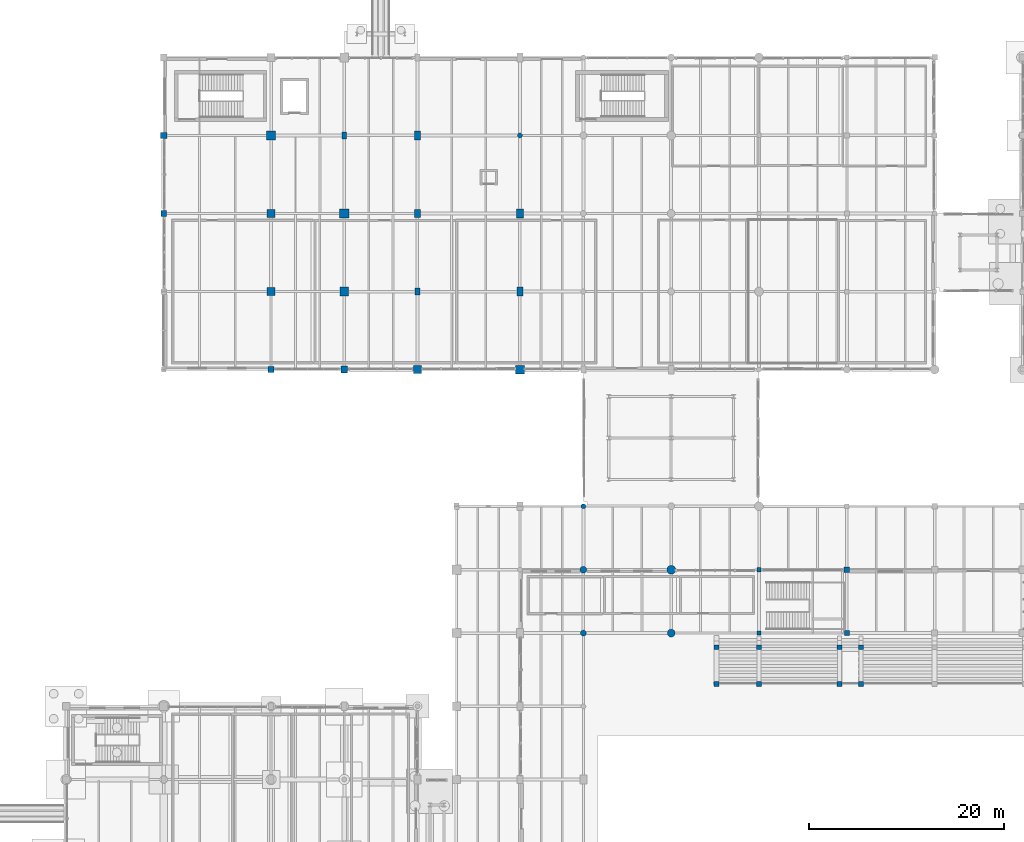
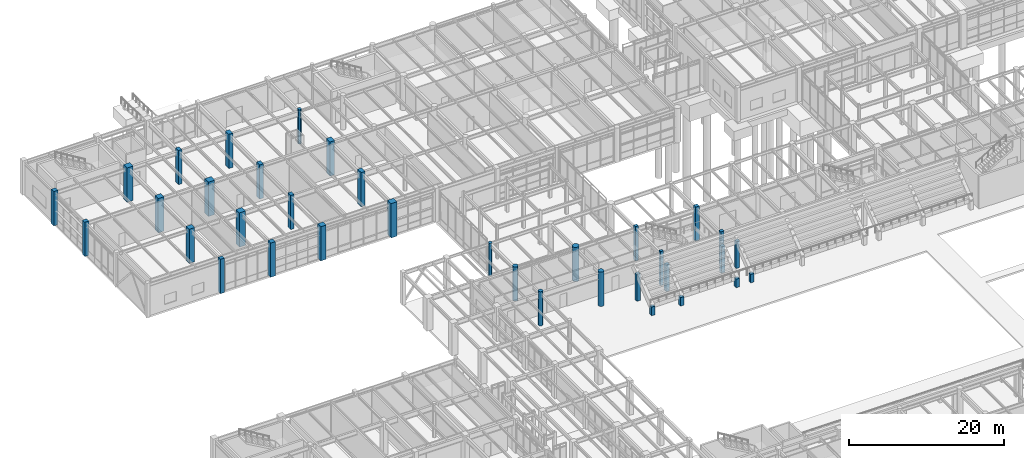
# One storey, part 12 of 203: 35 columns.
"""IFC4 building model written with IfcOpenShell, lengths in metres."""

from ifc_helpers import new_model, si_unit, direction, frame, origin, origin_2d, place, context, subcontext, project, spatial, rectangle, circle, extrude, material, material_profile, profile_set, type_object, element, save


model = new_model("IFC4")

# Units and contexts
model_context = context("Model", 3, precision=1e-05, world=origin(), true_north=direction((0.0, 1.0)))
body_context = subcontext(model_context, "Body", "Model", "MODEL_VIEW")
ifc_project = project(units=[si_unit("LENGTHUNIT", "METRE"), si_unit("AREAUNIT", "SQUARE_METRE"), si_unit("VOLUMEUNIT", "CUBIC_METRE"), si_unit("PLANEANGLEUNIT", "RADIAN"), si_unit("MASSUNIT", "GRAM", prefix="KILO"), si_unit("THERMODYNAMICTEMPERATUREUNIT", "KELVIN"), si_unit("POWERUNIT", "WATT")], contexts=[model_context])

# Site, building, storey
site_placement = place(None, origin())
site = spatial("IfcSite", under=ifc_project, at=site_placement, CompositionType="ELEMENT")
building_placement = place(site_placement, origin())
building = spatial("IfcBuilding", under=site, at=building_placement, Name="Tepalcoro Natatorium and Aquatics Centre", CompositionType="ELEMENT")
storey_placement = place(building_placement, origin())
storey = spatial("IfcBuildingStorey", under=building, at=storey_placement, Name="L00", CompositionType="ELEMENT", Elevation=0.0)

# Columns
ifc_material = material(Name="Concrete C40/50 (fc 40 MPa)", Category="concrete")
ifc_material_profile_1 = material_profile(ifc_material, rectangle(XDim=0.39990234375, YDim=0.39990234375, at=origin_2d()), Name="RC400x400")
ifc_profile_set_1 = profile_set([ifc_material_profile_1], Name="Concrete C40/50 (fc 40 MPa)")
column_type_1 = type_object("IfcColumnType", Name="COL_RC_400x400", PredefinedType="COLUMN", material=ifc_profile_set_1)
column_1_placement = place(storey_placement, frame((71.0, 59.0, 0.0), z_axis=(0.0, 0.0, 1.0), x_axis=(1.0, 0.0, 0.0)))
element("IfcColumn", 1, at=column_1_placement, inside=storey, type_object=column_type_1, Name="V1 L00 Grid Column (71.0, 59.0)", PredefinedType="COLUMN", context=body_context, shape_type="SweptSolid", body=[
    extrude(rectangle(XDim=0.39990234375, YDim=0.39990234375, at=origin_2d()), origin(), (0.0, 0.0, 1.0), 5.39990234375),
])
ifc_material_profile_2 = material_profile(ifc_material, rectangle(XDim=0.449951171875, YDim=0.449951171875, at=origin_2d()), Name="RC450x450")
ifc_profile_set_2 = profile_set([ifc_material_profile_2], Name="Concrete C40/50 (fc 40 MPa)")
column_type_2 = type_object("IfcColumnType", Name="COL_RC_450x450", PredefinedType="COLUMN", material=ifc_profile_set_2)
column_2_placement = place(storey_placement, frame((71.0, 65.5, 0.0), z_axis=(0.0, 0.0, 1.0), x_axis=(1.0, 0.0, 0.0)))
element("IfcColumn", 2, at=column_2_placement, inside=storey, type_object=column_type_2, Name="V1 L00 Grid Column (71.0, 65.5)", PredefinedType="COLUMN", context=body_context, shape_type="SweptSolid", body=[
    extrude(rectangle(XDim=0.449951171875, YDim=0.449951171875, at=origin_2d()), origin(), (0.0, 0.0, 1.0), 5.39990234375),
])
ifc_material_profile_3 = material_profile(ifc_material, rectangle(XDim=0.5, YDim=0.5, at=origin_2d()), Name="RC500x500")
ifc_profile_set_3 = profile_set([ifc_material_profile_3], Name="Concrete C40/50 (fc 40 MPa)")
column_type_3 = type_object("IfcColumnType", Name="COL_RC_500x500", PredefinedType="COLUMN", material=ifc_profile_set_3)
column_3_placement = place(storey_placement, frame((80.0, 59.0, 0.0), z_axis=(0.0, 0.0, 1.0), x_axis=(1.0, 0.0, 0.0)))
element("IfcColumn", 3, at=column_3_placement, inside=storey, type_object=column_type_3, Name="V1 L00 Grid Column (80.0, 59.0)", PredefinedType="COLUMN", context=body_context, shape_type="SweptSolid", body=[
    extrude(rectangle(XDim=0.5, YDim=0.5, at=origin_2d()), origin(), (0.0, 0.0, 1.0), 5.39990234375),
])
column_4_placement = place(storey_placement, frame((66.64990234375, 53.800048828125, 0.0), z_axis=(0.0, 0.0, 1.0), x_axis=(1.0, 0.0, 0.0)))
element("IfcColumn", 4, at=column_4_placement, inside=storey, type_object=column_type_3, Name="Spectator Bowl Plinth Column N-F", PredefinedType="COLUMN", context=body_context, shape_type="SweptSolid", body=[
    extrude(rectangle(XDim=0.5, YDim=0.5, at=origin_2d()), origin(), (0.0, 0.0, 1.0), 1.35009765625),
])
column_5_placement = place(storey_placement, frame((66.64990234375, 57.550048828125, 0.0), z_axis=(0.0, 0.0, 1.0), x_axis=(1.0, 0.0, 0.0)))
element("IfcColumn", 5, at=column_5_placement, inside=storey, type_object=column_type_3, Name="Spectator Bowl Plinth Column N-B", PredefinedType="COLUMN", context=body_context, shape_type="SweptSolid", body=[
    extrude(rectangle(XDim=0.5, YDim=0.5, at=origin_2d()), origin(), (0.0, 0.0, 1.0), 4.25),
])
column_6_placement = place(storey_placement, frame((71.0, 53.800048828125, 0.0), z_axis=(0.0, 0.0, 1.0), x_axis=(1.0, 0.0, 0.0)))
element("IfcColumn", 6, at=column_6_placement, inside=storey, type_object=column_type_3, Name="Spectator Bowl Plinth Column N-F", PredefinedType="COLUMN", context=body_context, shape_type="SweptSolid", body=[
    extrude(rectangle(XDim=0.5, YDim=0.5, at=origin_2d()), origin(), (0.0, 0.0, 1.0), 1.35009765625),
])
column_7_placement = place(storey_placement, frame((71.0, 57.550048828125, 0.0), z_axis=(0.0, 0.0, 1.0), x_axis=(1.0, 0.0, 0.0)))
element("IfcColumn", 7, at=column_7_placement, inside=storey, type_object=column_type_3, Name="Spectator Bowl Plinth Column N-B", PredefinedType="COLUMN", context=body_context, shape_type="SweptSolid", body=[
    extrude(rectangle(XDim=0.5, YDim=0.5, at=origin_2d()), origin(), (0.0, 0.0, 1.0), 4.25),
])
column_8_placement = place(storey_placement, frame((79.25, 53.800048828125, 0.0), z_axis=(0.0, 0.0, 1.0), x_axis=(1.0, 0.0, 0.0)))
element("IfcColumn", 8, at=column_8_placement, inside=storey, type_object=column_type_3, Name="Spectator Bowl Plinth Column N-F", PredefinedType="COLUMN", context=body_context, shape_type="SweptSolid", body=[
    extrude(rectangle(XDim=0.5, YDim=0.5, at=origin_2d()), origin(), (0.0, 0.0, 1.0), 1.35009765625),
])
column_9_placement = place(storey_placement, frame((79.25, 57.550048828125, 0.0), z_axis=(0.0, 0.0, 1.0), x_axis=(1.0, 0.0, 0.0)))
element("IfcColumn", 9, at=column_9_placement, inside=storey, type_object=column_type_3, Name="Spectator Bowl Plinth Column N-B", PredefinedType="COLUMN", context=body_context, shape_type="SweptSolid", body=[
    extrude(rectangle(XDim=0.5, YDim=0.5, at=origin_2d()), origin(), (0.0, 0.0, 1.0), 4.25),
])
column_10_placement = place(storey_placement, frame((81.449951171875, 53.800048828125, 0.0), z_axis=(0.0, 0.0, 1.0), x_axis=(1.0, 0.0, 0.0)))
element("IfcColumn", 10, at=column_10_placement, inside=storey, type_object=column_type_3, Name="Spectator Bowl Plinth Column N-F", PredefinedType="COLUMN", context=body_context, shape_type="SweptSolid", body=[
    extrude(rectangle(XDim=0.5, YDim=0.5, at=origin_2d()), origin(), (0.0, 0.0, 1.0), 1.35009765625),
])
column_11_placement = place(storey_placement, frame((81.449951171875, 57.550048828125, 0.0), z_axis=(0.0, 0.0, 1.0), x_axis=(1.0, 0.0, 0.0)))
element("IfcColumn", 11, at=column_11_placement, inside=storey, type_object=column_type_3, Name="Spectator Bowl Plinth Column N-B", PredefinedType="COLUMN", context=body_context, shape_type="SweptSolid", body=[
    extrude(rectangle(XDim=0.5, YDim=0.5, at=origin_2d()), origin(), (0.0, 0.0, 1.0), 4.25),
])
ifc_material_profile_4 = material_profile(ifc_material, rectangle(XDim=0.5, YDim=0.699951171875, at=origin_2d()), Name="RC500x700")
ifc_profile_set_4 = profile_set([ifc_material_profile_4], Name="Concrete C40/50 (fc 40 MPa)")
column_type_4 = type_object("IfcColumnType", Name="COL_RC_500x700", PredefinedType="COLUMN", material=ifc_profile_set_4)
for number, where, z_axis, x_axis, name in (
    (12, (28.5, 110.0, 0.0), (0.0, 0.0, 1.0), (1.0, 0.0, 0.0), "V4 L00 Grid Column (28.5, 110.0)"),
    (13, (36.0, 94.0, 0.0), (0.0, 0.0, 1.0), (1.0, 0.0, 0.0), "V4 L00 Grid Column (36.0, 94.0)"),
):
    element("IfcColumn", number, at=place(storey_placement, frame(where, z_axis=z_axis, x_axis=x_axis)), inside=storey, type_object=column_type_4, Name=name, PredefinedType="COLUMN", context=body_context, shape_type="SweptSolid", body=[
        extrude(rectangle(XDim=0.5, YDim=0.699951171875, at=origin_2d()), origin(), (0.0, 0.0, 1.0), 5.39990234375),
    ])
ifc_material_profile_5 = material_profile(ifc_material, rectangle(XDim=0.550048828125, YDim=0.550048828125, at=origin_2d()), Name="RC550x550")
ifc_profile_set_5 = profile_set([ifc_material_profile_5], Name="Concrete C40/50 (fc 40 MPa)")
column_type_5 = type_object("IfcColumnType", Name="COL_RC_550x550", PredefinedType="COLUMN", material=ifc_profile_set_5)
column_12_placement = place(storey_placement, frame((80.0, 65.5, 0.0), z_axis=(0.0, 0.0, 1.0), x_axis=(1.0, 0.0, 0.0)))
element("IfcColumn", 14, at=column_12_placement, inside=storey, type_object=column_type_5, Name="V1 L00 Grid Column (80.0, 65.5)", PredefinedType="COLUMN", context=body_context, shape_type="SweptSolid", body=[
    extrude(rectangle(XDim=0.550048828125, YDim=0.550048828125, at=origin_2d()), origin(), (0.0, 0.0, 1.0), 5.39990234375),
])
ifc_material_profile_6 = material_profile(ifc_material, rectangle(XDim=0.60009765625, YDim=0.60009765625, at=origin_2d()), Name="RC600x600")
ifc_profile_set_6 = profile_set([ifc_material_profile_6], Name="Concrete C40/50 (fc 40 MPa)")
column_type_6 = type_object("IfcColumnType", Name="COL_RC_600x600", PredefinedType="COLUMN", material=ifc_profile_set_6)
for number, where, z_axis, x_axis, name in (
    (15, (10.0, 102.0, 0.0), (0.0, 0.0, 1.0), (1.0, 0.0, 0.0), "V4 L00 Grid Column (10.0, 102.0)"),
    (16, (21.0, 86.0, 0.0), (0.0, 0.0, 1.0), (1.0, 0.0, 0.0), "V4 L00 Grid Column (21.0, 86.0)"),
):
    element("IfcColumn", number, at=place(storey_placement, frame(where, z_axis=z_axis, x_axis=x_axis)), inside=storey, type_object=column_type_6, Name=name, PredefinedType="COLUMN", context=body_context, shape_type="SweptSolid", body=[
        extrude(rectangle(XDim=0.60009765625, YDim=0.60009765625, at=origin_2d()), origin(), (0.0, 0.0, 1.0), 5.39990234375),
    ])
ifc_material_profile_7 = material_profile(ifc_material, rectangle(XDim=0.60009765625, YDim=0.800048828125, at=origin_2d()), Name="RC600x800")
ifc_profile_set_7 = profile_set([ifc_material_profile_7], Name="Concrete C40/50 (fc 40 MPa)")
column_type_7 = type_object("IfcColumnType", Name="COL_RC_600x800", PredefinedType="COLUMN", material=ifc_profile_set_7)
column_13_placement = place(storey_placement, frame((36.0, 102.0, 0.0), z_axis=(0.0, 0.0, 1.0), x_axis=(1.0, 0.0, 0.0)))
element("IfcColumn", 17, at=column_13_placement, inside=storey, type_object=column_type_7, Name="V4 L00 Grid Column (36.0, 102.0)", PredefinedType="COLUMN", context=body_context, shape_type="SweptSolid", body=[
    extrude(rectangle(XDim=0.60009765625, YDim=0.800048828125, at=origin_2d()), origin(), (0.0, 0.0, 1.0), 5.39990234375),
])
ifc_material_profile_8 = material_profile(ifc_material, rectangle(XDim=0.60009765625, YDim=0.89990234375, at=origin_2d()), Name="RC600x900")
ifc_profile_set_8 = profile_set([ifc_material_profile_8], Name="Concrete C40/50 (fc 40 MPa)")
column_type_8 = type_object("IfcColumnType", Name="COL_RC_600x900", PredefinedType="COLUMN", material=ifc_profile_set_8)
for number, where, z_axis, x_axis, name in (
    (18, (36.0, 110.0, 0.0), (0.0, 0.0, 1.0), (1.0, 0.0, 0.0), "V4 L00 Grid Column (36.0, 110.0)"),
    (19, (46.5, 94.0, 0.0), (0.0, 0.0, 1.0), (1.0, 0.0, 0.0), "V4 L00 Grid Column (46.5, 94.0)"),
):
    element("IfcColumn", number, at=place(storey_placement, frame(where, z_axis=z_axis, x_axis=x_axis)), inside=storey, type_object=column_type_8, Name=name, PredefinedType="COLUMN", context=body_context, shape_type="SweptSolid", body=[
        extrude(rectangle(XDim=0.60009765625, YDim=0.89990234375, at=origin_2d()), origin(), (0.0, 0.0, 1.0), 5.39990234375),
    ])
ifc_material_profile_9 = material_profile(ifc_material, rectangle(XDim=0.64990234375, YDim=0.64990234375, at=origin_2d()), Name="RC650x650")
ifc_profile_set_9 = profile_set([ifc_material_profile_9], Name="Concrete C40/50 (fc 40 MPa)")
column_type_9 = type_object("IfcColumnType", Name="COL_RC_650x650", PredefinedType="COLUMN", material=ifc_profile_set_9)
column_14_placement = place(storey_placement, frame((10.0, 110.0, 0.0), z_axis=(0.0, 0.0, 1.0), x_axis=(1.0, 0.0, 0.0)))
element("IfcColumn", 20, at=column_14_placement, inside=storey, type_object=column_type_9, Name="V4 L00 Grid Column (10.0, 110.0)", PredefinedType="COLUMN", context=body_context, shape_type="SweptSolid", body=[
    extrude(rectangle(XDim=0.64990234375, YDim=0.64990234375, at=origin_2d()), origin(), (0.0, 0.0, 1.0), 5.39990234375),
])
ifc_material_profile_10 = material_profile(ifc_material, rectangle(XDim=0.699951171875, YDim=0.699951171875, at=origin_2d()), Name="RC700x700")
ifc_profile_set_10 = profile_set([ifc_material_profile_10], Name="Concrete C40/50 (fc 40 MPa)")
column_type_10 = type_object("IfcColumnType", Name="COL_RC_700x700", PredefinedType="COLUMN", material=ifc_profile_set_10)
column_15_placement = place(storey_placement, frame((28.5, 86.0, 0.0), z_axis=(0.0, 0.0, 1.0), x_axis=(1.0, 0.0, 0.0)))
element("IfcColumn", 21, at=column_15_placement, inside=storey, type_object=column_type_10, Name="V4 L00 Grid Column (28.5, 86.0)", PredefinedType="COLUMN", context=body_context, shape_type="SweptSolid", body=[
    extrude(rectangle(XDim=0.699951171875, YDim=0.699951171875, at=origin_2d()), origin(), (0.0, 0.0, 1.0), 5.39990234375),
])
ifc_material_profile_11 = material_profile(ifc_material, rectangle(XDim=0.699951171875, YDim=0.949951171875, at=origin_2d()), Name="RC700x950")
ifc_profile_set_11 = profile_set([ifc_material_profile_11], Name="Concrete C40/50 (fc 40 MPa)")
column_type_11 = type_object("IfcColumnType", Name="COL_RC_700x950", PredefinedType="COLUMN", material=ifc_profile_set_11)
column_16_placement = place(storey_placement, frame((46.5, 102.0, 0.0), z_axis=(0.0, 0.0, 1.0), x_axis=(1.0, 0.0, 0.0)))
element("IfcColumn", 22, at=column_16_placement, inside=storey, type_object=column_type_11, Name="V4 L00 Grid Column (46.5, 102.0)", PredefinedType="COLUMN", context=body_context, shape_type="SweptSolid", body=[
    extrude(rectangle(XDim=0.699951171875, YDim=0.949951171875, at=origin_2d()), origin(), (0.0, 0.0, 1.0), 5.39990234375),
])
ifc_material_profile_12 = material_profile(ifc_material, rectangle(XDim=0.800048828125, YDim=0.800048828125, at=origin_2d()), Name="RC800x800")
ifc_profile_set_12 = profile_set([ifc_material_profile_12], Name="Concrete C40/50 (fc 40 MPa)")
column_type_12 = type_object("IfcColumnType", Name="COL_RC_800x800", PredefinedType="COLUMN", material=ifc_profile_set_12)
for number, where, z_axis, x_axis, name in (
    (23, (21.0, 94.0, 0.0), (0.0, 0.0, 1.0), (1.0, 0.0, 0.0), "V4 L00 Grid Column (21.0, 94.0)"),
    (24, (36.0, 86.0, 0.0), (0.0, 0.0, 1.0), (1.0, 0.0, 0.0), "V4 L00 Grid Column (36.0, 86.0)"),
):
    element("IfcColumn", number, at=place(storey_placement, frame(where, z_axis=z_axis, x_axis=x_axis)), inside=storey, type_object=column_type_12, Name=name, PredefinedType="COLUMN", context=body_context, shape_type="SweptSolid", body=[
        extrude(rectangle(XDim=0.800048828125, YDim=0.800048828125, at=origin_2d()), origin(), (0.0, 0.0, 1.0), 5.39990234375),
    ])
ifc_material_profile_13 = material_profile(ifc_material, rectangle(XDim=0.85009765625, YDim=0.85009765625, at=origin_2d()), Name="RC850x850")
ifc_profile_set_13 = profile_set([ifc_material_profile_13], Name="Concrete C40/50 (fc 40 MPa)")
column_type_13 = type_object("IfcColumnType", Name="COL_RC_850x850", PredefinedType="COLUMN", material=ifc_profile_set_13)
column_17_placement = place(storey_placement, frame((21.0, 102.0, 0.0), z_axis=(0.0, 0.0, 1.0), x_axis=(1.0, 0.0, 0.0)))
element("IfcColumn", 25, at=column_17_placement, inside=storey, type_object=column_type_13, Name="V4 L00 Grid Column (21.0, 102.0)", PredefinedType="COLUMN", context=body_context, shape_type="SweptSolid", body=[
    extrude(rectangle(XDim=0.85009765625, YDim=0.85009765625, at=origin_2d()), origin(), (0.0, 0.0, 1.0), 5.39990234375),
])
ifc_material_profile_14 = material_profile(ifc_material, rectangle(XDim=0.89990234375, YDim=0.89990234375, at=origin_2d()), Name="RC900x900")
ifc_profile_set_14 = profile_set([ifc_material_profile_14], Name="Concrete C40/50 (fc 40 MPa)")
column_type_14 = type_object("IfcColumnType", Name="COL_RC_900x900", PredefinedType="COLUMN", material=ifc_profile_set_14)
for number, where, z_axis, x_axis, name in (
    (26, (21.0, 110.0, 0.0), (0.0, 0.0, 1.0), (1.0, 0.0, 0.0), "V4 L00 Grid Column (21.0, 110.0)"),
    (27, (28.5, 94.0, 0.0), (0.0, 0.0, 1.0), (1.0, 0.0, 0.0), "V4 L00 Grid Column (28.5, 94.0)"),
    (28, (46.5, 86.0, 0.0), (0.0, 0.0, 1.0), (1.0, 0.0, 0.0), "V4 L00 Grid Column (46.5, 86.0)"),
):
    element("IfcColumn", number, at=place(storey_placement, frame(where, z_axis=z_axis, x_axis=x_axis)), inside=storey, type_object=column_type_14, Name=name, PredefinedType="COLUMN", context=body_context, shape_type="SweptSolid", body=[
        extrude(rectangle(XDim=0.89990234375, YDim=0.89990234375, at=origin_2d()), origin(), (0.0, 0.0, 1.0), 5.39990234375),
    ])
ifc_material_profile_15 = material_profile(ifc_material, rectangle(XDim=0.949951171875, YDim=0.949951171875, at=origin_2d()), Name="RC950x950")
ifc_profile_set_15 = profile_set([ifc_material_profile_15], Name="Concrete C40/50 (fc 40 MPa)")
column_type_15 = type_object("IfcColumnType", Name="COL_RC_950x950", PredefinedType="COLUMN", material=ifc_profile_set_15)
column_18_placement = place(storey_placement, frame((28.5, 102.0, 0.0), z_axis=(0.0, 0.0, 1.0), x_axis=(1.0, 0.0, 0.0)))
element("IfcColumn", 29, at=column_18_placement, inside=storey, type_object=column_type_15, Name="V4 L00 Grid Column (28.5, 102.0)", PredefinedType="COLUMN", context=body_context, shape_type="SweptSolid", body=[
    extrude(rectangle(XDim=0.949951171875, YDim=0.949951171875, at=origin_2d()), origin(), (0.0, 0.0, 1.0), 5.39990234375),
])
ifc_material_profile_16 = material_profile(ifc_material, circle(Radius=0.25, at=origin_2d()), Name="RCD500")
ifc_profile_set_16 = profile_set([ifc_material_profile_16], Name="Concrete C40/50 (fc 40 MPa)")
column_type_16 = type_object("IfcColumnType", Name="COL_RC_D500", PredefinedType="COLUMN", material=ifc_profile_set_16)
column_19_placement = place(storey_placement, frame((53.0, 72.0, 0.0), z_axis=(0.0, 0.0, 1.0), x_axis=(1.0, 0.0, 0.0)))
element("IfcColumn", 30, at=column_19_placement, inside=storey, type_object=column_type_16, Name="V1 L00 Grid Column (53.0, 72.0)", PredefinedType="COLUMN", context=body_context, shape_type="SweptSolid", body=[
    extrude(circle(Radius=0.25, at=origin_2d()), origin(), (0.0, 0.0, 1.0), 5.10009765625),
])
column_20_placement = place(storey_placement, frame((46.5, 110.0, 0.0), z_axis=(0.0, 0.0, 1.0), x_axis=(1.0, 0.0, 0.0)))
element("IfcColumn", 31, at=column_20_placement, inside=storey, type_object=column_type_16, Name="V4 L00 Grid Column (46.5, 110.0)", PredefinedType="COLUMN", context=body_context, shape_type="SweptSolid", body=[
    extrude(circle(Radius=0.25, at=origin_2d()), origin(), (0.0, 0.0, 1.0), 5.39990234375),
])
ifc_material_profile_17 = material_profile(ifc_material, circle(Radius=0.300048828125, at=origin_2d()), Name="RCD600")
ifc_profile_set_17 = profile_set([ifc_material_profile_17], Name="Concrete C40/50 (fc 40 MPa)")
column_type_17 = type_object("IfcColumnType", Name="COL_RC_D600", PredefinedType="COLUMN", material=ifc_profile_set_17)
column_21_placement = place(storey_placement, frame((53.0, 59.0, 0.0), z_axis=(0.0, 0.0, 1.0), x_axis=(1.0, 0.0, 0.0)))
element("IfcColumn", 32, at=column_21_placement, inside=storey, type_object=column_type_17, Name="V1 L00 Grid Column (53.0, 59.0)", PredefinedType="COLUMN", context=body_context, shape_type="SweptSolid", body=[
    extrude(circle(Radius=0.300048828125, at=origin_2d()), origin(), (0.0, 0.0, 1.0), 5.39990234375),
])
ifc_material_profile_18 = material_profile(ifc_material, circle(Radius=0.35009765625, at=origin_2d()), Name="RCD700")
ifc_profile_set_18 = profile_set([ifc_material_profile_18], Name="Concrete C40/50 (fc 40 MPa)")
column_type_18 = type_object("IfcColumnType", Name="COL_RC_D700", PredefinedType="COLUMN", material=ifc_profile_set_18)
column_22_placement = place(storey_placement, frame((53.0, 65.5, 0.0), z_axis=(0.0, 0.0, 1.0), x_axis=(1.0, 0.0, 0.0)))
element("IfcColumn", 33, at=column_22_placement, inside=storey, type_object=column_type_18, Name="V1 L00 Grid Column (53.0, 65.5)", PredefinedType="COLUMN", context=body_context, shape_type="SweptSolid", body=[
    extrude(circle(Radius=0.35009765625, at=origin_2d()), origin(), (0.0, 0.0, 1.0), 5.39990234375),
])
ifc_material_profile_19 = material_profile(ifc_material, circle(Radius=0.39990234375, at=origin_2d()), Name="RCD800")
ifc_profile_set_19 = profile_set([ifc_material_profile_19], Name="Concrete C40/50 (fc 40 MPa)")
column_type_19 = type_object("IfcColumnType", Name="COL_RC_D800", PredefinedType="COLUMN", material=ifc_profile_set_19)
column_23_placement = place(storey_placement, frame((62.0, 59.0, 0.0), z_axis=(0.0, 0.0, 1.0), x_axis=(1.0, 0.0, 0.0)))
element("IfcColumn", 34, at=column_23_placement, inside=storey, type_object=column_type_19, Name="V1 L00 Grid Column (62.0, 59.0)", PredefinedType="COLUMN", context=body_context, shape_type="SweptSolid", body=[
    extrude(circle(Radius=0.39990234375, at=origin_2d()), origin(), (0.0, 0.0, 1.0), 5.39990234375),
])
ifc_material_profile_20 = material_profile(ifc_material, circle(Radius=0.449951171875, at=origin_2d()), Name="RCD900")
ifc_profile_set_20 = profile_set([ifc_material_profile_20], Name="Concrete C40/50 (fc 40 MPa)")
column_type_20 = type_object("IfcColumnType", Name="COL_RC_D900", PredefinedType="COLUMN", material=ifc_profile_set_20)
column_24_placement = place(storey_placement, frame((62.0, 65.5, 0.0), z_axis=(0.0, 0.0, 1.0), x_axis=(1.0, 0.0, 0.0)))
element("IfcColumn", 35, at=column_24_placement, inside=storey, type_object=column_type_20, Name="V1 L00 Grid Column (62.0, 65.5)", PredefinedType="COLUMN", context=body_context, shape_type="SweptSolid", body=[
    extrude(circle(Radius=0.449951171875, at=origin_2d()), origin(), (0.0, 0.0, 1.0), 5.39990234375),
])

save(model, "model.ifc")
